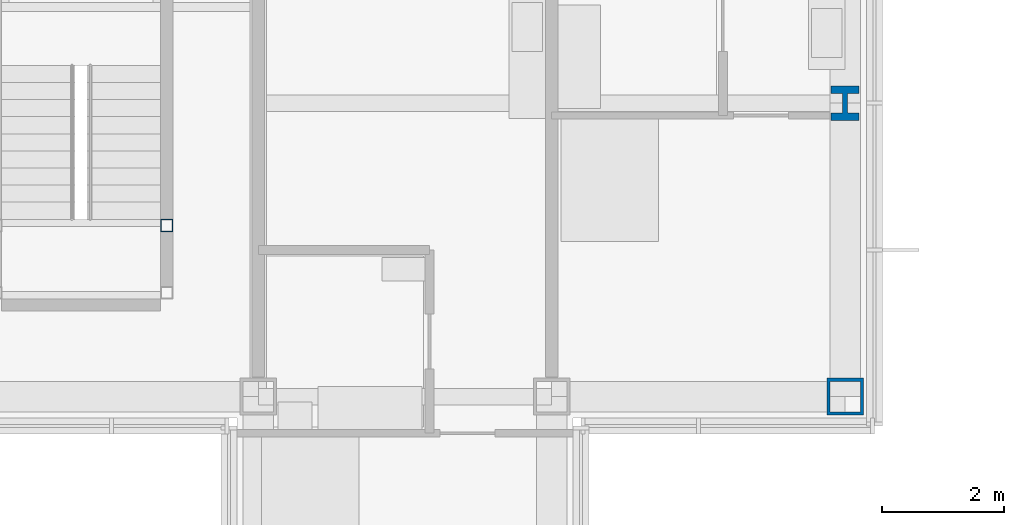
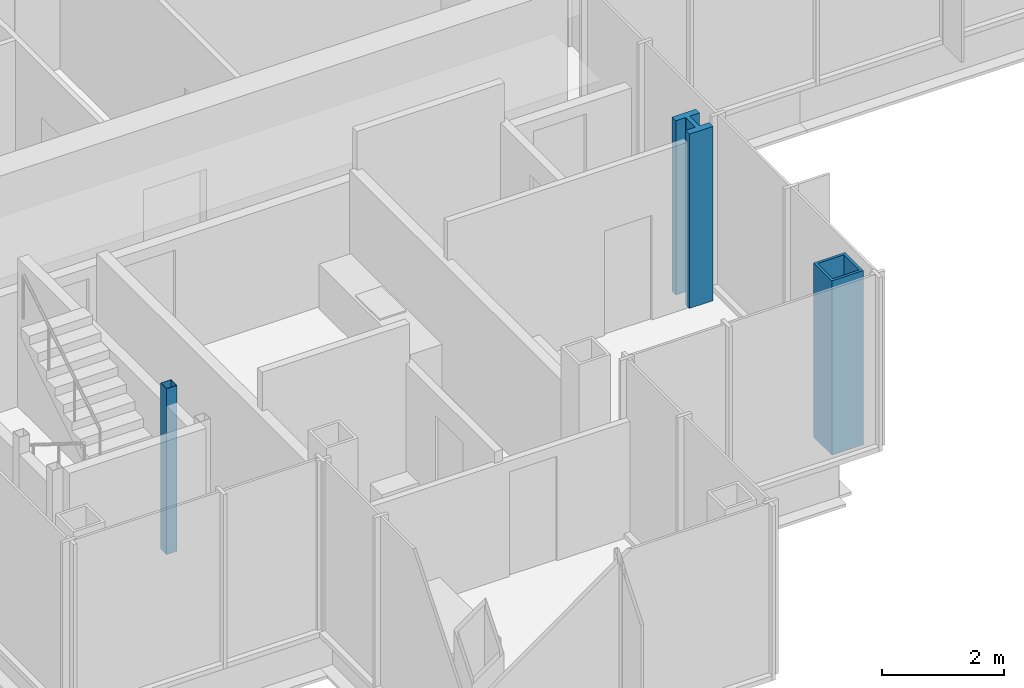
# One storey, part 2 of 15: 3 columns.
"""IFC4 building model written with IfcOpenShell, lengths in metres."""

from ifc_helpers import new_model, si_unit, direction, frame, origin, origin_2d, place, context, subcontext, project, spatial, hollow_rectangle, i_section, extrude, material, material_profile, profile_set, type_object, element, save


model = new_model("IFC4")

# Units and contexts
model_context = context("Model", 3, precision=1e-05, world=origin(), true_north=direction((0.0, 1.0)))
body_context = subcontext(model_context, "Body", "Model", "MODEL_VIEW")
ifc_project = project(units=[si_unit("LENGTHUNIT", "METRE"), si_unit("AREAUNIT", "SQUARE_METRE"), si_unit("VOLUMEUNIT", "CUBIC_METRE"), si_unit("PLANEANGLEUNIT", "RADIAN"), si_unit("MASSUNIT", "GRAM", prefix="KILO")], contexts=[model_context])

# Site, building, storey
site_placement = place(None, origin())
site = spatial("IfcSite", under=ifc_project, at=site_placement, CompositionType="ELEMENT")
building_placement = place(site_placement, origin())
building = spatial("IfcBuilding", under=site, at=building_placement, Name="Kvirike Care Tower", CompositionType="ELEMENT")
storey_placement = place(building_placement, frame((0.0, 0.0, 219.0)))
storey = spatial("IfcBuildingStorey", under=building, at=storey_placement, Name="L60", CompositionType="ELEMENT", Elevation=219.0)

# Columns
ifc_material_1 = material(Name="Steel S460", Category="steel")
ifc_material_profile_1 = material_profile(ifc_material_1, hollow_rectangle(XDim=0.60009765625, YDim=0.60009765625, WallThickness=0.050048828125, at=origin_2d()), Name="BX 600x600x50")
ifc_profile_set_1 = profile_set([ifc_material_profile_1], Name="Steel S460")
column_type_1 = type_object("IfcColumnType", Name="COLUMN BX 600x600x50", PredefinedType="COLUMN", material=ifc_profile_set_1)
column_1_placement = place(storey_placement, frame((28.800048828125, 19.199951171875, 0.0), z_axis=(0.0, 0.0, 1.0), x_axis=(0.0, 1.0, 0.0)))
element("IfcColumn", 1, at=column_1_placement, inside=storey, type_object=column_type_1, Name="Column E9 L60", PredefinedType="COLUMN", context=body_context, shape_type="SweptSolid", body=[
    extrude(hollow_rectangle(XDim=0.60009765625, YDim=0.60009765625, WallThickness=0.050048828125, at=origin_2d()), origin(), (0.0, 0.0, 1.0), 3.5),
])
ifc_material_2 = material(Name="Steel S460", Category="steel")
ifc_material_profile_2 = material_profile(ifc_material_2, i_section(OverallWidth=0.4541015625, OverallDepth=0.569091796875, WebThickness=0.077880859375, FlangeThickness=0.125, FilletRadius=0.014892578125, at=origin_2d()), Name="HD 400x1086")
ifc_profile_set_2 = profile_set([ifc_material_profile_2], Name="Steel S460")
column_type_2 = type_object("IfcColumnType", Name="COLUMN HD 400x1086", PredefinedType="COLUMN", material=ifc_profile_set_2)
column_2_placement = place(storey_placement, frame((28.800048828125, 24.0, 0.0), z_axis=(0.0, 0.0, 1.0), x_axis=(1.0, 0.0, 0.0)))
element("IfcColumn", 2, at=column_2_placement, inside=storey, type_object=column_type_2, Name="Column F9 L60", PredefinedType="COLUMN", context=body_context, shape_type="SweptSolid", body=[
    extrude(i_section(OverallWidth=0.4541015625, OverallDepth=0.569091796875, WebThickness=0.077880859375, FlangeThickness=0.125, FilletRadius=0.014892578125, at=origin_2d()), origin(), (0.0, 0.0, 1.0), 3.5),
])
ifc_material_3 = material(Name="Steel S460", Category="steel")
ifc_material_profile_3 = material_profile(ifc_material_3, hollow_rectangle(XDim=0.199951171875, YDim=0.199951171875, WallThickness=0.008056640625, at=origin_2d()), Name="SHS 200x200x8")
ifc_profile_set_3 = profile_set([ifc_material_profile_3], Name="Steel S460")
column_type_3 = type_object("IfcColumnType", Name="STAIR POST SHS 200x200x8", PredefinedType="COLUMN", material=ifc_profile_set_3)
column_3_placement = place(storey_placement, frame((17.699951171875, 22.0, 0.0), z_axis=(0.0, 0.0, 1.0), x_axis=(1.0, 0.0, 0.0)))
element("IfcColumn", 3, at=column_3_placement, inside=storey, type_object=column_type_3, Name="Stair 5 post 4 L60", PredefinedType="COLUMN", context=body_context, shape_type="SweptSolid", body=[
    extrude(hollow_rectangle(XDim=0.199951171875, YDim=0.199951171875, WallThickness=0.008056640625, at=origin_2d()), origin(), (0.0, 0.0, 1.0), 3.330078125),
])

save(model, "model.ifc")
